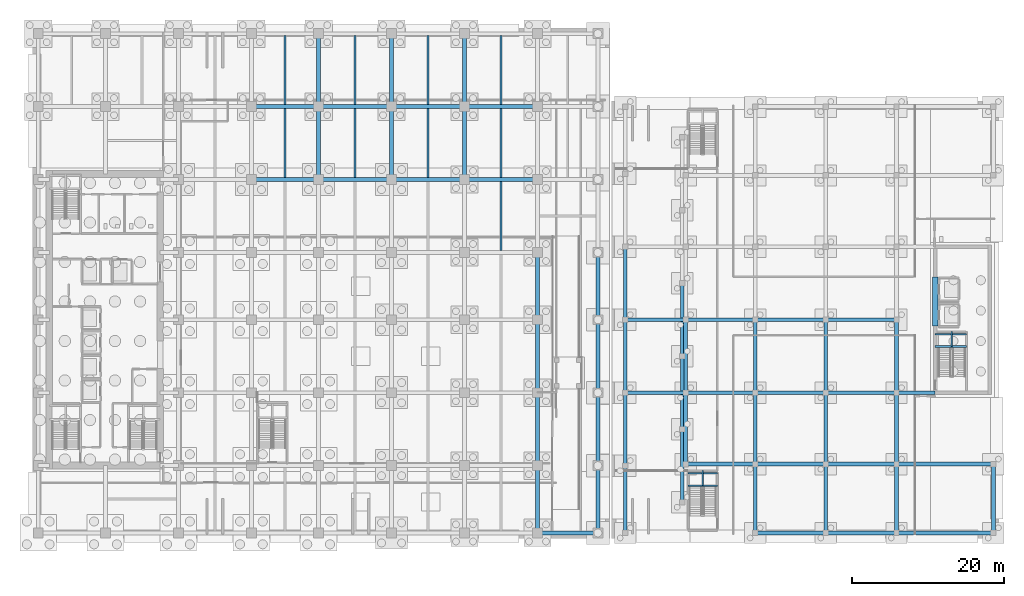
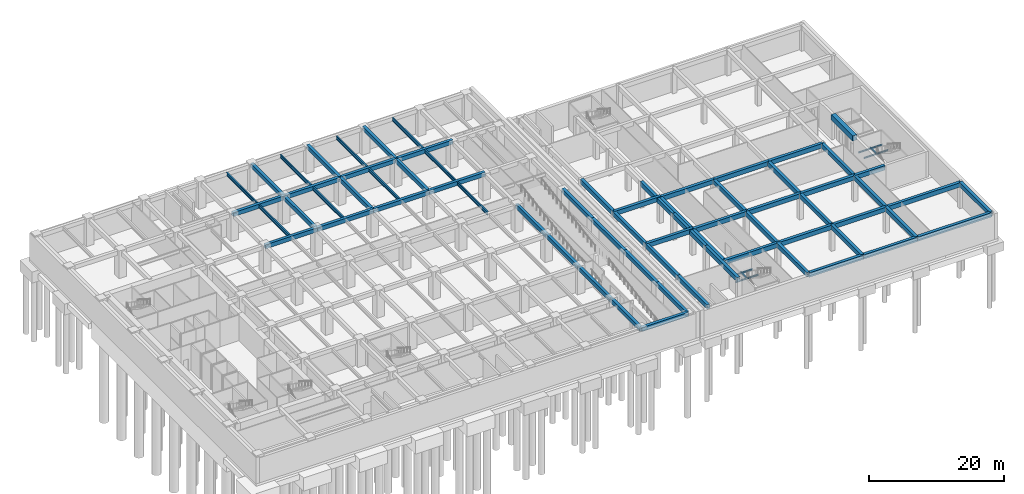
# One storey, part 6 of 20: 74 beams.
"""IFC4 building model written with IfcOpenShell, lengths in metres."""

from ifc_helpers import new_model, si_unit, direction, frame, origin, origin_2d, place, context, subcontext, project, spatial, rectangle, i_section, extrude, material, material_profile, profile_set, type_object, element, save


model = new_model("IFC4")

# Units and contexts
model_context = context("Model", 3, precision=1e-05, world=origin(), true_north=direction((0.0, 1.0)))
body_context = subcontext(model_context, "Body", "Model", "MODEL_VIEW")
ifc_project = project(units=[si_unit("LENGTHUNIT", "METRE"), si_unit("AREAUNIT", "SQUARE_METRE"), si_unit("VOLUMEUNIT", "CUBIC_METRE"), si_unit("PLANEANGLEUNIT", "RADIAN"), si_unit("MASSUNIT", "GRAM", prefix="KILO")], contexts=[model_context])

# Site, building, storey
site_placement = place(None, origin())
site = spatial("IfcSite", under=ifc_project, at=site_placement, CompositionType="ELEMENT")
building_placement = place(site_placement, origin())
building = spatial("IfcBuilding", under=site, at=building_placement, Name="Norrvale University Quadrangle", CompositionType="ELEMENT")
storey_placement = place(building_placement, frame((0.0, 0.0, -5.0)))
storey = spatial("IfcBuildingStorey", under=building, at=storey_placement, Name="B01", CompositionType="ELEMENT", Elevation=-5.0)

# Beams
ifc_material_1 = material(Name="Concrete C80/95", Category="concrete")
ifc_material_profile_1 = material_profile(ifc_material_1, rectangle(XDim=0.699951171875, YDim=0.949951171875, at=origin_2d()), Name="Concrete C80/95")
ifc_profile_set_1 = profile_set([ifc_material_profile_1], Name="Concrete C80/95")
beam_type_1 = type_object("IfcBeamType", Name="Beam Core Link 700x950", PredefinedType="LINTEL", material=ifc_profile_set_1)
beam_1_placement = place(storey_placement, frame((118.800048828125, 28.0, 4.175048828125), z_axis=(0.0, 1.0, 0.0), x_axis=(-1.0, 0.0, 0.0)))
element("IfcBeam", 1, at=beam_1_placement, inside=storey, type_object=beam_type_1, Name="Library Core Coupling Lintel B01", PredefinedType="LINTEL", context=body_context, shape_type="SweptSolid", body=[
    extrude(rectangle(XDim=0.699951171875, YDim=0.949951171875, at=origin_2d()), origin(), (0.0, 0.0, 1.0), 6.39990234375),
])
ifc_material_2 = material(Name="Concrete C60/75", Category="concrete")
ifc_material_profile_2 = material_profile(ifc_material_2, rectangle(XDim=0.5, YDim=0.75, at=origin_2d()), Name="Concrete C60/75")
ifc_profile_set_2 = profile_set([ifc_material_profile_2], Name="Concrete C60/75")
beam_type_2 = type_object("IfcBeamType", Name="Beam Edge 500x750", PredefinedType="BEAM", material=ifc_profile_set_2)
beam_2_placement = place(storey_placement, frame((66.449951171875, 0.75, 4.405029296875), z_axis=(1.0, 0.0, 0.0), x_axis=(0.0, 1.0, 0.0)))
element("IfcBeam", 2, at=beam_2_placement, inside=storey, type_object=beam_type_2, Name="Beam Edge 500x750 BM-B01-GX008", PredefinedType="BEAM", context=body_context, shape_type="SweptSolid", body=[
    extrude(rectangle(XDim=0.5, YDim=0.75, at=origin_2d()), origin(), (0.0, 0.0, 1.0), 7.949951171875),
])
beam_3_placement = place(storey_placement, frame((28.800048828125, 47.25, 4.405029296875), z_axis=(1.0, 0.0, 0.0), x_axis=(0.0, 1.0, 0.0)))
element("IfcBeam", 3, at=beam_3_placement, inside=storey, type_object=beam_type_2, Name="Beam Edge 500x750 BM-B01-GX030", PredefinedType="BEAM", context=body_context, shape_type="SweptSolid", body=[
    extrude(rectangle(XDim=0.5, YDim=0.75, at=origin_2d()), origin(), (0.0, 0.0, 1.0), 8.849853515625),
])
for number, where, z_axis, x_axis, name in (
    (4, (37.64990234375, 47.25, 4.405029296875), (1.0, 0.0, 0.0), (0.0, 1.0, 0.0), "Beam Edge 500x750 BM-B01-GX031"),
    (5, (47.25, 47.25, 4.405029296875), (1.0, 0.0, 0.0), (0.0, 1.0, 0.0), "Beam Edge 500x750 BM-B01-GX032"),
):
    element("IfcBeam", number, at=place(storey_placement, frame(where, z_axis=z_axis, x_axis=x_axis)), inside=storey, type_object=beam_type_2, Name=name, PredefinedType="BEAM", context=body_context, shape_type="SweptSolid", body=[
        extrude(rectangle(XDim=0.5, YDim=0.75, at=origin_2d()), origin(), (0.0, 0.0, 1.0), 9.60009765625),
    ])
beam_4_placement = place(storey_placement, frame((56.85009765625, 47.25, 4.405029296875), z_axis=(1.0, 0.0, 0.0), x_axis=(0.0, 1.0, 0.0)))
element("IfcBeam", 6, at=beam_4_placement, inside=storey, type_object=beam_type_2, Name="Beam Edge 500x750 BM-B01-GX033", PredefinedType="BEAM", context=body_context, shape_type="SweptSolid", body=[
    extrude(rectangle(XDim=0.5, YDim=0.75, at=origin_2d()), origin(), (0.0, 0.0, 1.0), 9.599853515625),
])
beam_5_placement = place(storey_placement, frame((28.800048828125, 56.85009765625, 4.405029296875), z_axis=(1.0, 0.0, 0.0), x_axis=(0.0, 1.0, 0.0)))
element("IfcBeam", 7, at=beam_5_placement, inside=storey, type_object=beam_type_2, Name="Beam Edge 500x750 BM-B01-GX038", PredefinedType="BEAM", context=body_context, shape_type="SweptSolid", body=[
    extrude(rectangle(XDim=0.5, YDim=0.75, at=origin_2d()), origin(), (0.0, 0.0, 1.0), 8.849853515625),
])
for number, where, z_axis, x_axis, name in (
    (8, (37.64990234375, 56.85009765625, 4.405029296875), (1.0, 0.0, 0.0), (0.0, 1.0, 0.0), "Beam Edge 500x750 BM-B01-GX039"),
    (9, (47.25, 56.85009765625, 4.405029296875), (1.0, 0.0, 0.0), (0.0, 1.0, 0.0), "Beam Edge 500x750 BM-B01-GX040"),
):
    element("IfcBeam", number, at=place(storey_placement, frame(where, z_axis=z_axis, x_axis=x_axis)), inside=storey, type_object=beam_type_2, Name=name, PredefinedType="BEAM", context=body_context, shape_type="SweptSolid", body=[
        extrude(rectangle(XDim=0.5, YDim=0.75, at=origin_2d()), origin(), (0.0, 0.0, 1.0), 9.60009765625),
    ])
beam_6_placement = place(storey_placement, frame((56.85009765625, 56.85009765625, 4.405029296875), z_axis=(1.0, 0.0, 0.0), x_axis=(0.0, 1.0, 0.0)))
element("IfcBeam", 10, at=beam_6_placement, inside=storey, type_object=beam_type_2, Name="Beam Edge 500x750 BM-B01-GX041", PredefinedType="BEAM", context=body_context, shape_type="SweptSolid", body=[
    extrude(rectangle(XDim=0.5, YDim=0.75, at=origin_2d()), origin(), (0.0, 0.0, 1.0), 9.599853515625),
])
beam_7_placement = place(storey_placement, frame((37.64990234375, 47.25, 4.405029296875), z_axis=(0.0, 1.0, 0.0), x_axis=(-1.0, 0.0, 0.0)))
element("IfcBeam", 11, at=beam_7_placement, inside=storey, type_object=beam_type_2, Name="Beam Edge 500x750 BM-B01-GY078", PredefinedType="BEAM", context=body_context, shape_type="SweptSolid", body=[
    extrude(rectangle(XDim=0.5, YDim=0.75, at=origin_2d()), origin(), (0.0, 0.0, 1.0), 9.60009765625),
])
beam_8_placement = place(storey_placement, frame((37.64990234375, 56.85009765625, 4.405029296875), z_axis=(0.0, 1.0, 0.0), x_axis=(-1.0, 0.0, 0.0)))
element("IfcBeam", 12, at=beam_8_placement, inside=storey, type_object=beam_type_2, Name="Beam Edge 500x750 BM-B01-GY079", PredefinedType="BEAM", context=body_context, shape_type="SweptSolid", body=[
    extrude(rectangle(XDim=0.5, YDim=0.75, at=origin_2d()), origin(), (0.0, 0.0, 1.0), 9.599853515625),
])
beam_9_placement = place(storey_placement, frame((47.25, 47.25, 4.405029296875), z_axis=(0.0, 1.0, 0.0), x_axis=(-1.0, 0.0, 0.0)))
element("IfcBeam", 13, at=beam_9_placement, inside=storey, type_object=beam_type_2, Name="Beam Edge 500x750 BM-B01-GY085", PredefinedType="BEAM", context=body_context, shape_type="SweptSolid", body=[
    extrude(rectangle(XDim=0.5, YDim=0.75, at=origin_2d()), origin(), (0.0, 0.0, 1.0), 9.60009765625),
])
beam_10_placement = place(storey_placement, frame((47.25, 56.85009765625, 4.405029296875), z_axis=(0.0, 1.0, 0.0), x_axis=(-1.0, 0.0, 0.0)))
element("IfcBeam", 14, at=beam_10_placement, inside=storey, type_object=beam_type_2, Name="Beam Edge 500x750 BM-B01-GY086", PredefinedType="BEAM", context=body_context, shape_type="SweptSolid", body=[
    extrude(rectangle(XDim=0.5, YDim=0.75, at=origin_2d()), origin(), (0.0, 0.0, 1.0), 9.599853515625),
])
beam_11_placement = place(storey_placement, frame((56.85009765625, 47.25, 4.405029296875), z_axis=(0.0, 1.0, 0.0), x_axis=(-1.0, 0.0, 0.0)))
element("IfcBeam", 15, at=beam_11_placement, inside=storey, type_object=beam_type_2, Name="Beam Edge 500x750 BM-B01-GY092", PredefinedType="BEAM", context=body_context, shape_type="SweptSolid", body=[
    extrude(rectangle(XDim=0.5, YDim=0.75, at=origin_2d()), origin(), (0.0, 0.0, 1.0), 9.60009765625),
])
beam_12_placement = place(storey_placement, frame((56.85009765625, 56.85009765625, 4.405029296875), z_axis=(0.0, 1.0, 0.0), x_axis=(-1.0, 0.0, 0.0)))
element("IfcBeam", 16, at=beam_12_placement, inside=storey, type_object=beam_type_2, Name="Beam Edge 500x750 BM-B01-GY093", PredefinedType="BEAM", context=body_context, shape_type="SweptSolid", body=[
    extrude(rectangle(XDim=0.5, YDim=0.75, at=origin_2d()), origin(), (0.0, 0.0, 1.0), 9.599853515625),
])
beam_13_placement = place(storey_placement, frame((66.449951171875, 0.75, 4.405029296875), z_axis=(0.0, 1.0, 0.0), x_axis=(-1.0, 0.0, 0.0)))
element("IfcBeam", 17, at=beam_13_placement, inside=storey, type_object=beam_type_2, Name="Beam Edge 500x750 BM-B01-GY094", PredefinedType="BEAM", context=body_context, shape_type="SweptSolid", body=[
    extrude(rectangle(XDim=0.5, YDim=0.75, at=origin_2d()), origin(), (0.0, 0.0, 1.0), 8.85009765625),
])
beam_14_placement = place(storey_placement, frame((66.449951171875, 9.60009765625, 4.405029296875), z_axis=(0.0, 1.0, 0.0), x_axis=(-1.0, 0.0, 0.0)))
element("IfcBeam", 18, at=beam_14_placement, inside=storey, type_object=beam_type_2, Name="Beam Edge 500x750 BM-B01-GY095", PredefinedType="BEAM", context=body_context, shape_type="SweptSolid", body=[
    extrude(rectangle(XDim=0.5, YDim=0.75, at=origin_2d()), origin(), (0.0, 0.0, 1.0), 9.599853515625),
])
beam_15_placement = place(storey_placement, frame((66.449951171875, 19.199951171875, 4.405029296875), z_axis=(0.0, 1.0, 0.0), x_axis=(-1.0, 0.0, 0.0)))
element("IfcBeam", 19, at=beam_15_placement, inside=storey, type_object=beam_type_2, Name="Beam Edge 500x750 BM-B01-GY096", PredefinedType="BEAM", context=body_context, shape_type="SweptSolid", body=[
    extrude(rectangle(XDim=0.5, YDim=0.75, at=origin_2d()), origin(), (0.0, 0.0, 1.0), 9.60009765625),
])
beam_16_placement = place(storey_placement, frame((66.449951171875, 28.800048828125, 4.405029296875), z_axis=(0.0, 1.0, 0.0), x_axis=(-1.0, 0.0, 0.0)))
element("IfcBeam", 20, at=beam_16_placement, inside=storey, type_object=beam_type_2, Name="Beam Edge 500x750 BM-B01-GY097", PredefinedType="BEAM", context=body_context, shape_type="SweptSolid", body=[
    extrude(rectangle(XDim=0.5, YDim=0.75, at=origin_2d()), origin(), (0.0, 0.0, 1.0), 8.849853515625),
])
beam_17_placement = place(storey_placement, frame((74.39990234375, 0.75, 4.405029296875), z_axis=(0.0, 1.0, 0.0), x_axis=(-1.0, 0.0, 0.0)))
element("IfcBeam", 21, at=beam_17_placement, inside=storey, type_object=beam_type_2, Name="Beam Edge 500x750 BM-B01-GY101", PredefinedType="BEAM", context=body_context, shape_type="SweptSolid", body=[
    extrude(rectangle(XDim=0.5, YDim=0.75, at=origin_2d()), origin(), (0.0, 0.0, 1.0), 8.85009765625),
])
beam_18_placement = place(storey_placement, frame((74.39990234375, 9.60009765625, 4.405029296875), z_axis=(0.0, 1.0, 0.0), x_axis=(-1.0, 0.0, 0.0)))
element("IfcBeam", 22, at=beam_18_placement, inside=storey, type_object=beam_type_2, Name="Beam Edge 500x750 BM-B01-GY102", PredefinedType="BEAM", context=body_context, shape_type="SweptSolid", body=[
    extrude(rectangle(XDim=0.5, YDim=0.75, at=origin_2d()), origin(), (0.0, 0.0, 1.0), 9.599853515625),
])
beam_19_placement = place(storey_placement, frame((74.39990234375, 19.199951171875, 4.405029296875), z_axis=(0.0, 1.0, 0.0), x_axis=(-1.0, 0.0, 0.0)))
element("IfcBeam", 23, at=beam_19_placement, inside=storey, type_object=beam_type_2, Name="Beam Edge 500x750 BM-B01-GY103", PredefinedType="BEAM", context=body_context, shape_type="SweptSolid", body=[
    extrude(rectangle(XDim=0.5, YDim=0.75, at=origin_2d()), origin(), (0.0, 0.0, 1.0), 9.60009765625),
])
beam_20_placement = place(storey_placement, frame((74.39990234375, 28.800048828125, 4.405029296875), z_axis=(0.0, 1.0, 0.0), x_axis=(-1.0, 0.0, 0.0)))
element("IfcBeam", 24, at=beam_20_placement, inside=storey, type_object=beam_type_2, Name="Beam Edge 500x750 BM-B01-GY104", PredefinedType="BEAM", context=body_context, shape_type="SweptSolid", body=[
    extrude(rectangle(XDim=0.5, YDim=0.75, at=origin_2d()), origin(), (0.0, 0.0, 1.0), 8.849853515625),
])
ifc_material_3 = material(Name="Steel 350W", Category="steel")
ifc_material_profile_3 = material_profile(ifc_material_3, i_section(OverallWidth=0.22998046875, OverallDepth=0.616943359375, WebThickness=0.01318359375, FlangeThickness=0.022216796875, FilletRadius=0.01611328125, at=origin_2d()), Name="Steel 350W")
ifc_profile_set_3 = profile_set([ifc_material_profile_3], Name="Steel 350W")
beam_type_3 = type_object("IfcBeamType", Name="Beam Floor W610x140", PredefinedType="BEAM", material=ifc_profile_set_3)
beam_21_placement = place(storey_placement, frame((33.22509765625, 47.5, 4.471435546875), z_axis=(0.0, 1.0, 0.0), x_axis=(-1.0, 0.0, 0.0)))
element("IfcBeam", 25, at=beam_21_placement, inside=storey, type_object=beam_type_3, Name="Beam Floor W610x140 BM-B01-J131", PredefinedType="BEAM", context=body_context, shape_type="SweptSolid", body=[
    extrude(i_section(OverallWidth=0.22998046875, OverallDepth=0.616943359375, WebThickness=0.01318359375, FlangeThickness=0.022216796875, FilletRadius=0.01611328125, at=origin_2d()), origin(), (0.0, 0.0, 1.0), 9.10009765625),
])
beam_22_placement = place(storey_placement, frame((33.22509765625, 57.10009765625, 4.471435546875), z_axis=(0.0, 1.0, 0.0), x_axis=(-1.0, 0.0, 0.0)))
element("IfcBeam", 26, at=beam_22_placement, inside=storey, type_object=beam_type_3, Name="Beam Floor W610x140 BM-B01-J132", PredefinedType="BEAM", context=body_context, shape_type="SweptSolid", body=[
    extrude(i_section(OverallWidth=0.22998046875, OverallDepth=0.616943359375, WebThickness=0.01318359375, FlangeThickness=0.022216796875, FilletRadius=0.01611328125, at=origin_2d()), origin(), (0.0, 0.0, 1.0), 9.099853515625),
])
beam_23_placement = place(storey_placement, frame((42.449951171875, 47.5, 4.471435546875), z_axis=(0.0, 1.0, 0.0), x_axis=(-1.0, 0.0, 0.0)))
element("IfcBeam", 27, at=beam_23_placement, inside=storey, type_object=beam_type_3, Name="Beam Floor W610x140 BM-B01-J138", PredefinedType="BEAM", context=body_context, shape_type="SweptSolid", body=[
    extrude(i_section(OverallWidth=0.22998046875, OverallDepth=0.616943359375, WebThickness=0.01318359375, FlangeThickness=0.022216796875, FilletRadius=0.01611328125, at=origin_2d()), origin(), (0.0, 0.0, 1.0), 9.10009765625),
])
beam_24_placement = place(storey_placement, frame((42.449951171875, 57.10009765625, 4.471435546875), z_axis=(0.0, 1.0, 0.0), x_axis=(-1.0, 0.0, 0.0)))
element("IfcBeam", 28, at=beam_24_placement, inside=storey, type_object=beam_type_3, Name="Beam Floor W610x140 BM-B01-J139", PredefinedType="BEAM", context=body_context, shape_type="SweptSolid", body=[
    extrude(i_section(OverallWidth=0.22998046875, OverallDepth=0.616943359375, WebThickness=0.01318359375, FlangeThickness=0.022216796875, FilletRadius=0.01611328125, at=origin_2d()), origin(), (0.0, 0.0, 1.0), 9.099853515625),
])
beam_25_placement = place(storey_placement, frame((52.050048828125, 47.5, 4.471435546875), z_axis=(0.0, 1.0, 0.0), x_axis=(-1.0, 0.0, 0.0)))
element("IfcBeam", 29, at=beam_25_placement, inside=storey, type_object=beam_type_3, Name="Beam Floor W610x140 BM-B01-J145", PredefinedType="BEAM", context=body_context, shape_type="SweptSolid", body=[
    extrude(i_section(OverallWidth=0.22998046875, OverallDepth=0.616943359375, WebThickness=0.01318359375, FlangeThickness=0.022216796875, FilletRadius=0.01611328125, at=origin_2d()), origin(), (0.0, 0.0, 1.0), 9.10009765625),
])
beam_26_placement = place(storey_placement, frame((52.050048828125, 57.10009765625, 4.471435546875), z_axis=(0.0, 1.0, 0.0), x_axis=(-1.0, 0.0, 0.0)))
element("IfcBeam", 30, at=beam_26_placement, inside=storey, type_object=beam_type_3, Name="Beam Floor W610x140 BM-B01-J146", PredefinedType="BEAM", context=body_context, shape_type="SweptSolid", body=[
    extrude(i_section(OverallWidth=0.22998046875, OverallDepth=0.616943359375, WebThickness=0.01318359375, FlangeThickness=0.022216796875, FilletRadius=0.01611328125, at=origin_2d()), origin(), (0.0, 0.0, 1.0), 9.099853515625),
])
for number, where, z_axis, x_axis, name in (
    (31, (61.64990234375, 37.89990234375, 4.471435546875), (0.0, 1.0, 0.0), (-1.0, 0.0, 0.0), "Beam Floor W610x140 BM-B01-J151"),
    (32, (61.64990234375, 47.5, 4.471435546875), (0.0, 1.0, 0.0), (-1.0, 0.0, 0.0), "Beam Floor W610x140 BM-B01-J152"),
):
    element("IfcBeam", number, at=place(storey_placement, frame(where, z_axis=z_axis, x_axis=x_axis)), inside=storey, type_object=beam_type_3, Name=name, PredefinedType="BEAM", context=body_context, shape_type="SweptSolid", body=[
        extrude(i_section(OverallWidth=0.22998046875, OverallDepth=0.616943359375, WebThickness=0.01318359375, FlangeThickness=0.022216796875, FilletRadius=0.01611328125, at=origin_2d()), origin(), (0.0, 0.0, 1.0), 9.10009765625),
    ])
beam_27_placement = place(storey_placement, frame((61.64990234375, 57.10009765625, 4.471435546875), z_axis=(0.0, 1.0, 0.0), x_axis=(-1.0, 0.0, 0.0)))
element("IfcBeam", 33, at=beam_27_placement, inside=storey, type_object=beam_type_3, Name="Beam Floor W610x140 BM-B01-J153", PredefinedType="BEAM", context=body_context, shape_type="SweptSolid", body=[
    extrude(i_section(OverallWidth=0.22998046875, OverallDepth=0.616943359375, WebThickness=0.01318359375, FlangeThickness=0.022216796875, FilletRadius=0.01611328125, at=origin_2d()), origin(), (0.0, 0.0, 1.0), 9.099853515625),
])
ifc_material_profile_4 = material_profile(ifc_material_2, rectangle(XDim=0.5, YDim=0.800048828125, at=origin_2d()), Name="Concrete C60/75")
ifc_profile_set_4 = profile_set([ifc_material_profile_4], Name="Concrete C60/75")
beam_type_4 = type_object("IfcBeamType", Name="Beam Lib 500x800", PredefinedType="BEAM", material=ifc_profile_set_4)
beam_28_placement = place(storey_placement, frame((95.10009765625, 0.75, 4.25), z_axis=(1.0, 0.0, 0.0), x_axis=(0.0, 1.0, 0.0)))
element("IfcBeam", 34, at=beam_28_placement, inside=storey, type_object=beam_type_4, Name="Beam Lib 500x800 BM-B01-LGX001", PredefinedType="BEAM", context=body_context, shape_type="SweptSolid", body=[
    extrude(rectangle(XDim=0.5, YDim=0.800048828125, at=origin_2d()), origin(), (0.0, 0.0, 1.0), 9.2998046875),
])
beam_29_placement = place(storey_placement, frame((104.39990234375, 0.75, 4.25), z_axis=(1.0, 0.0, 0.0), x_axis=(0.0, 1.0, 0.0)))
element("IfcBeam", 35, at=beam_29_placement, inside=storey, type_object=beam_type_4, Name="Beam Lib 500x800 BM-B01-LGX002", PredefinedType="BEAM", context=body_context, shape_type="SweptSolid", body=[
    extrude(rectangle(XDim=0.5, YDim=0.800048828125, at=origin_2d()), origin(), (0.0, 0.0, 1.0), 9.300048828125),
])
beam_30_placement = place(storey_placement, frame((113.699951171875, 0.75, 4.25), z_axis=(1.0, 0.0, 0.0), x_axis=(0.0, 1.0, 0.0)))
element("IfcBeam", 36, at=beam_30_placement, inside=storey, type_object=beam_type_4, Name="Beam Lib 500x800 BM-B01-LGX003", PredefinedType="BEAM", context=body_context, shape_type="SweptSolid", body=[
    extrude(rectangle(XDim=0.5, YDim=0.800048828125, at=origin_2d()), origin(), (0.0, 0.0, 1.0), 12.75),
])
beam_31_placement = place(storey_placement, frame((85.949951171875, 9.800048828125, 4.25), z_axis=(1.0, 0.0, 0.0), x_axis=(0.0, 1.0, 0.0)))
element("IfcBeam", 37, at=beam_31_placement, inside=storey, type_object=beam_type_4, Name="Beam Lib 500x800 BM-B01-LGX004", PredefinedType="BEAM", context=body_context, shape_type="SweptSolid", body=[
    extrude(rectangle(XDim=0.5, YDim=0.800048828125, at=origin_2d()), origin(), (0.0, 0.0, 1.0), 9.150146484375),
])
beam_32_placement = place(storey_placement, frame((95.10009765625, 9.800048828125, 4.25), z_axis=(1.0, 0.0, 0.0), x_axis=(0.0, 1.0, 0.0)))
element("IfcBeam", 38, at=beam_32_placement, inside=storey, type_object=beam_type_4, Name="Beam Lib 500x800 BM-B01-LGX005", PredefinedType="BEAM", context=body_context, shape_type="SweptSolid", body=[
    extrude(rectangle(XDim=0.5, YDim=0.800048828125, at=origin_2d()), origin(), (0.0, 0.0, 1.0), 9.2998046875),
])
beam_33_placement = place(storey_placement, frame((104.39990234375, 9.800048828125, 4.25), z_axis=(1.0, 0.0, 0.0), x_axis=(0.0, 1.0, 0.0)))
element("IfcBeam", 39, at=beam_33_placement, inside=storey, type_object=beam_type_4, Name="Beam Lib 500x800 BM-B01-LGX006", PredefinedType="BEAM", context=body_context, shape_type="SweptSolid", body=[
    extrude(rectangle(XDim=0.5, YDim=0.800048828125, at=origin_2d()), origin(), (0.0, 0.0, 1.0), 9.300048828125),
])
beam_34_placement = place(storey_placement, frame((113.699951171875, 9.800048828125, 4.25), z_axis=(1.0, 0.0, 0.0), x_axis=(0.0, 1.0, 0.0)))
element("IfcBeam", 40, at=beam_34_placement, inside=storey, type_object=beam_type_4, Name="Beam Lib 500x800 BM-B01-LGX007", PredefinedType="BEAM", context=body_context, shape_type="SweptSolid", body=[
    extrude(rectangle(XDim=0.5, YDim=0.800048828125, at=origin_2d()), origin(), (0.0, 0.0, 1.0), 12.75),
])
beam_35_placement = place(storey_placement, frame((78.0, 19.199951171875, 4.3798828125), z_axis=(1.0, 0.0, 0.0), x_axis=(0.0, 1.0, 0.0)))
element("IfcBeam", 41, at=beam_35_placement, inside=storey, type_object=beam_type_4, Name="Beam Lib 500x800 BM-B01-LGX008", PredefinedType="BEAM", context=body_context, shape_type="SweptSolid", body=[
    extrude(rectangle(XDim=0.5, YDim=0.800048828125, at=origin_2d()), origin(), (0.0, 0.0, 1.0), 7.949951171875),
])
beam_36_placement = place(storey_placement, frame((85.949951171875, 19.199951171875, 4.25), z_axis=(1.0, 0.0, 0.0), x_axis=(0.0, 1.0, 0.0)))
element("IfcBeam", 42, at=beam_36_placement, inside=storey, type_object=beam_type_4, Name="Beam Lib 500x800 BM-B01-LGX009", PredefinedType="BEAM", context=body_context, shape_type="SweptSolid", body=[
    extrude(rectangle(XDim=0.5, YDim=0.800048828125, at=origin_2d()), origin(), (0.0, 0.0, 1.0), 9.150146484375),
])
beam_37_placement = place(storey_placement, frame((95.10009765625, 19.199951171875, 4.25), z_axis=(1.0, 0.0, 0.0), x_axis=(0.0, 1.0, 0.0)))
element("IfcBeam", 43, at=beam_37_placement, inside=storey, type_object=beam_type_4, Name="Beam Lib 500x800 BM-B01-LGX010", PredefinedType="BEAM", context=body_context, shape_type="SweptSolid", body=[
    extrude(rectangle(XDim=0.5, YDim=0.800048828125, at=origin_2d()), origin(), (0.0, 0.0, 1.0), 9.2998046875),
])
beam_38_placement = place(storey_placement, frame((104.39990234375, 19.199951171875, 4.25), z_axis=(1.0, 0.0, 0.0), x_axis=(0.0, 1.0, 0.0)))
element("IfcBeam", 44, at=beam_38_placement, inside=storey, type_object=beam_type_4, Name="Beam Lib 500x800 BM-B01-LGX011", PredefinedType="BEAM", context=body_context, shape_type="SweptSolid", body=[
    extrude(rectangle(XDim=0.5, YDim=0.800048828125, at=origin_2d()), origin(), (0.0, 0.0, 1.0), 9.300048828125),
])
beam_39_placement = place(storey_placement, frame((78.0, 28.800048828125, 4.3798828125), z_axis=(1.0, 0.0, 0.0), x_axis=(0.0, 1.0, 0.0)))
element("IfcBeam", 45, at=beam_39_placement, inside=storey, type_object=beam_type_4, Name="Beam Lib 500x800 BM-B01-LGX012", PredefinedType="BEAM", context=body_context, shape_type="SweptSolid", body=[
    extrude(rectangle(XDim=0.5, YDim=0.800048828125, at=origin_2d()), origin(), (0.0, 0.0, 1.0), 7.949951171875),
])
beam_40_placement = place(storey_placement, frame((85.949951171875, 28.800048828125, 4.25), z_axis=(1.0, 0.0, 0.0), x_axis=(0.0, 1.0, 0.0)))
element("IfcBeam", 46, at=beam_40_placement, inside=storey, type_object=beam_type_4, Name="Beam Lib 500x800 BM-B01-LGX013", PredefinedType="BEAM", context=body_context, shape_type="SweptSolid", body=[
    extrude(rectangle(XDim=0.5, YDim=0.800048828125, at=origin_2d()), origin(), (0.0, 0.0, 1.0), 9.150146484375),
])
beam_41_placement = place(storey_placement, frame((95.10009765625, 28.800048828125, 4.25), z_axis=(1.0, 0.0, 0.0), x_axis=(0.0, 1.0, 0.0)))
element("IfcBeam", 47, at=beam_41_placement, inside=storey, type_object=beam_type_4, Name="Beam Lib 500x800 BM-B01-LGX014", PredefinedType="BEAM", context=body_context, shape_type="SweptSolid", body=[
    extrude(rectangle(XDim=0.5, YDim=0.800048828125, at=origin_2d()), origin(), (0.0, 0.0, 1.0), 9.2998046875),
])
beam_42_placement = place(storey_placement, frame((104.39990234375, 28.800048828125, 4.25), z_axis=(1.0, 0.0, 0.0), x_axis=(0.0, 1.0, 0.0)))
element("IfcBeam", 48, at=beam_42_placement, inside=storey, type_object=beam_type_4, Name="Beam Lib 500x800 BM-B01-LGX015", PredefinedType="BEAM", context=body_context, shape_type="SweptSolid", body=[
    extrude(rectangle(XDim=0.5, YDim=0.800048828125, at=origin_2d()), origin(), (0.0, 0.0, 1.0), 9.300048828125),
])
beam_43_placement = place(storey_placement, frame((78.0, 0.75, 4.3798828125), z_axis=(0.0, 1.0, 0.0), x_axis=(-1.0, 0.0, 0.0)))
element("IfcBeam", 49, at=beam_43_placement, inside=storey, type_object=beam_type_4, Name="Beam Lib 500x800 BM-B01-LGY027", PredefinedType="BEAM", context=body_context, shape_type="SweptSolid", body=[
    extrude(rectangle(XDim=0.5, YDim=0.800048828125, at=origin_2d()), origin(), (0.0, 0.0, 1.0), 8.85009765625),
])
beam_44_placement = place(storey_placement, frame((78.0, 9.60009765625, 4.3798828125), z_axis=(0.0, 1.0, 0.0), x_axis=(-1.0, 0.0, 0.0)))
element("IfcBeam", 50, at=beam_44_placement, inside=storey, type_object=beam_type_4, Name="Beam Lib 500x800 BM-B01-LGY028", PredefinedType="BEAM", context=body_context, shape_type="SweptSolid", body=[
    extrude(rectangle(XDim=0.5, YDim=0.800048828125, at=origin_2d()), origin(), (0.0, 0.0, 1.0), 9.599853515625),
])
beam_45_placement = place(storey_placement, frame((78.0, 19.199951171875, 4.3798828125), z_axis=(0.0, 1.0, 0.0), x_axis=(-1.0, 0.0, 0.0)))
element("IfcBeam", 51, at=beam_45_placement, inside=storey, type_object=beam_type_4, Name="Beam Lib 500x800 BM-B01-LGY029", PredefinedType="BEAM", context=body_context, shape_type="SweptSolid", body=[
    extrude(rectangle(XDim=0.5, YDim=0.800048828125, at=origin_2d()), origin(), (0.0, 0.0, 1.0), 9.60009765625),
])
for number, where, z_axis, x_axis, name in (
    (52, (78.0, 28.800048828125, 4.3798828125), (0.0, 1.0, 0.0), (-1.0, 0.0, 0.0), "Beam Lib 500x800 BM-B01-LGY030"),
    (53, (85.5, 4.800048828125, 4.25), (0.0, 1.0, 0.0), (-1.0, 0.0, 0.0), "Beam Lib 500x800 BM-B01-LGY033"),
):
    element("IfcBeam", number, at=place(storey_placement, frame(where, z_axis=z_axis, x_axis=x_axis)), inside=storey, type_object=beam_type_4, Name=name, PredefinedType="BEAM", context=body_context, shape_type="SweptSolid", body=[
        extrude(rectangle(XDim=0.5, YDim=0.800048828125, at=origin_2d()), origin(), (0.0, 0.0, 1.0), 9.599853515625),
    ])
for number, where, z_axis, x_axis, name in (
    (54, (85.5, 14.39990234375, 4.25), (0.0, 1.0, 0.0), (-1.0, 0.0, 0.0), "Beam Lib 500x800 BM-B01-LGY034"),
    (55, (85.5, 24.0, 4.25), (0.0, 1.0, 0.0), (-1.0, 0.0, 0.0), "Beam Lib 500x800 BM-B01-LGY035"),
):
    element("IfcBeam", number, at=place(storey_placement, frame(where, z_axis=z_axis, x_axis=x_axis)), inside=storey, type_object=beam_type_4, Name=name, PredefinedType="BEAM", context=body_context, shape_type="SweptSolid", body=[
        extrude(rectangle(XDim=0.5, YDim=0.800048828125, at=origin_2d()), origin(), (0.0, 0.0, 1.0), 9.60009765625),
    ])
beam_46_placement = place(storey_placement, frame((85.949951171875, 9.800048828125, 4.25), z_axis=(0.0, 1.0, 0.0), x_axis=(-1.0, 0.0, 0.0)))
element("IfcBeam", 56, at=beam_46_placement, inside=storey, type_object=beam_type_4, Name="Beam Lib 500x800 BM-B01-LGY038", PredefinedType="BEAM", context=body_context, shape_type="SweptSolid", body=[
    extrude(rectangle(XDim=0.5, YDim=0.800048828125, at=origin_2d()), origin(), (0.0, 0.0, 1.0), 9.39990234375),
])
beam_47_placement = place(storey_placement, frame((85.949951171875, 19.199951171875, 4.25), z_axis=(0.0, 1.0, 0.0), x_axis=(-1.0, 0.0, 0.0)))
element("IfcBeam", 57, at=beam_47_placement, inside=storey, type_object=beam_type_4, Name="Beam Lib 500x800 BM-B01-LGY039", PredefinedType="BEAM", context=body_context, shape_type="SweptSolid", body=[
    extrude(rectangle(XDim=0.5, YDim=0.800048828125, at=origin_2d()), origin(), (0.0, 0.0, 1.0), 9.60009765625),
])
beam_48_placement = place(storey_placement, frame((95.10009765625, 0.75, 4.25), z_axis=(0.0, 1.0, 0.0), x_axis=(-1.0, 0.0, 0.0)))
element("IfcBeam", 58, at=beam_48_placement, inside=storey, type_object=beam_type_4, Name="Beam Lib 500x800 BM-B01-LGY042", PredefinedType="BEAM", context=body_context, shape_type="SweptSolid", body=[
    extrude(rectangle(XDim=0.5, YDim=0.800048828125, at=origin_2d()), origin(), (0.0, 0.0, 1.0), 9.050048828125),
])
beam_49_placement = place(storey_placement, frame((95.10009765625, 9.800048828125, 4.25), z_axis=(0.0, 1.0, 0.0), x_axis=(-1.0, 0.0, 0.0)))
element("IfcBeam", 59, at=beam_49_placement, inside=storey, type_object=beam_type_4, Name="Beam Lib 500x800 BM-B01-LGY043", PredefinedType="BEAM", context=body_context, shape_type="SweptSolid", body=[
    extrude(rectangle(XDim=0.5, YDim=0.800048828125, at=origin_2d()), origin(), (0.0, 0.0, 1.0), 9.39990234375),
])
beam_50_placement = place(storey_placement, frame((95.10009765625, 19.199951171875, 4.25), z_axis=(0.0, 1.0, 0.0), x_axis=(-1.0, 0.0, 0.0)))
element("IfcBeam", 60, at=beam_50_placement, inside=storey, type_object=beam_type_4, Name="Beam Lib 500x800 BM-B01-LGY044", PredefinedType="BEAM", context=body_context, shape_type="SweptSolid", body=[
    extrude(rectangle(XDim=0.5, YDim=0.800048828125, at=origin_2d()), origin(), (0.0, 0.0, 1.0), 9.60009765625),
])
beam_51_placement = place(storey_placement, frame((104.39990234375, 0.75, 4.25), z_axis=(0.0, 1.0, 0.0), x_axis=(-1.0, 0.0, 0.0)))
element("IfcBeam", 61, at=beam_51_placement, inside=storey, type_object=beam_type_4, Name="Beam Lib 500x800 BM-B01-LGY048", PredefinedType="BEAM", context=body_context, shape_type="SweptSolid", body=[
    extrude(rectangle(XDim=0.5, YDim=0.800048828125, at=origin_2d()), origin(), (0.0, 0.0, 1.0), 9.050048828125),
])
beam_52_placement = place(storey_placement, frame((104.39990234375, 9.800048828125, 4.25), z_axis=(0.0, 1.0, 0.0), x_axis=(-1.0, 0.0, 0.0)))
element("IfcBeam", 62, at=beam_52_placement, inside=storey, type_object=beam_type_4, Name="Beam Lib 500x800 BM-B01-LGY049", PredefinedType="BEAM", context=body_context, shape_type="SweptSolid", body=[
    extrude(rectangle(XDim=0.5, YDim=0.800048828125, at=origin_2d()), origin(), (0.0, 0.0, 1.0), 9.39990234375),
])
beam_53_placement = place(storey_placement, frame((104.39990234375, 19.199951171875, 4.25), z_axis=(0.0, 1.0, 0.0), x_axis=(-1.0, 0.0, 0.0)))
element("IfcBeam", 63, at=beam_53_placement, inside=storey, type_object=beam_type_4, Name="Beam Lib 500x800 BM-B01-LGY050", PredefinedType="BEAM", context=body_context, shape_type="SweptSolid", body=[
    extrude(rectangle(XDim=0.5, YDim=0.800048828125, at=origin_2d()), origin(), (0.0, 0.0, 1.0), 9.60009765625),
])
beam_54_placement = place(storey_placement, frame((113.699951171875, 0.75, 4.25), z_axis=(0.0, 1.0, 0.0), x_axis=(-1.0, 0.0, 0.0)))
element("IfcBeam", 64, at=beam_54_placement, inside=storey, type_object=beam_type_4, Name="Beam Lib 500x800 BM-B01-LGY054", PredefinedType="BEAM", context=body_context, shape_type="SweptSolid", body=[
    extrude(rectangle(XDim=0.5, YDim=0.800048828125, at=origin_2d()), origin(), (0.0, 0.0, 1.0), 9.050048828125),
])
beam_55_placement = place(storey_placement, frame((113.699951171875, 9.800048828125, 4.25), z_axis=(0.0, 1.0, 0.0), x_axis=(-1.0, 0.0, 0.0)))
element("IfcBeam", 65, at=beam_55_placement, inside=storey, type_object=beam_type_4, Name="Beam Lib 500x800 BM-B01-LGY055", PredefinedType="BEAM", context=body_context, shape_type="SweptSolid", body=[
    extrude(rectangle(XDim=0.5, YDim=0.800048828125, at=origin_2d()), origin(), (0.0, 0.0, 1.0), 9.39990234375),
])
beam_56_placement = place(storey_placement, frame((113.699951171875, 19.199951171875, 4.25), z_axis=(0.0, 1.0, 0.0), x_axis=(-1.0, 0.0, 0.0)))
element("IfcBeam", 66, at=beam_56_placement, inside=storey, type_object=beam_type_4, Name="Beam Lib 500x800 BM-B01-LGY056", PredefinedType="BEAM", context=body_context, shape_type="SweptSolid", body=[
    extrude(rectangle(XDim=0.5, YDim=0.800048828125, at=origin_2d()), origin(), (0.0, 0.0, 1.0), 9.60009765625),
])
beam_57_placement = place(storey_placement, frame((126.449951171875, 0.75, 4.25), z_axis=(0.0, 1.0, 0.0), x_axis=(-1.0, 0.0, 0.0)))
element("IfcBeam", 67, at=beam_57_placement, inside=storey, type_object=beam_type_4, Name="Beam Lib 500x800 BM-B01-LGY060", PredefinedType="BEAM", context=body_context, shape_type="SweptSolid", body=[
    extrude(rectangle(XDim=0.5, YDim=0.800048828125, at=origin_2d()), origin(), (0.0, 0.0, 1.0), 9.050048828125),
])
beam_58_placement = place(storey_placement, frame((113.699951171875, 19.199951171875, 4.25), z_axis=(1.0, 0.0, 0.0), x_axis=(0.0, 1.0, 0.0)))
element("IfcBeam", 68, at=beam_58_placement, inside=storey, type_object=beam_type_4, Name="Beam Lib 500x800 BM-B01-LCTIE062", PredefinedType="BEAM", context=body_context, shape_type="SweptSolid", body=[
    extrude(rectangle(XDim=0.5, YDim=0.800048828125, at=origin_2d()), origin(), (0.0, 0.0, 1.0), 5.10009765625),
])
ifc_material_profile_5 = material_profile(ifc_material_3, i_section(OverallWidth=0.201904296875, OverallDepth=0.2470703125, WebThickness=0.00732421875, FlangeThickness=0.010986328125, FilletRadius=0.011962890625, at=origin_2d()), Name="Steel 350W")
ifc_profile_set_5 = profile_set([ifc_material_profile_5], Name="Steel 350W")
beam_type_5 = type_object("IfcBeamType", Name="Beam Stair W250x49", PredefinedType="BEAM", material=ifc_profile_set_5)
for number, where, z_axis, x_axis, name in (
    (69, (118.800048828125, 25.280029296875, 2.176513671875), (1.0, 0.0, 0.0), (0.0, 1.0, 0.0), "Stair Mid-Landing Front Beam ST-L1 B01"),
    (70, (118.800048828125, 26.919921875, 2.176513671875), (1.0, 0.0, 0.0), (0.0, 1.0, 0.0), "Stair Mid-Landing Rear Beam ST-L1 B01"),
):
    element("IfcBeam", number, at=place(storey_placement, frame(where, z_axis=z_axis, x_axis=x_axis)), inside=storey, type_object=beam_type_5, Name=name, PredefinedType="BEAM", context=body_context, shape_type="SweptSolid", body=[
        extrude(i_section(OverallWidth=0.201904296875, OverallDepth=0.2470703125, WebThickness=0.00732421875, FlangeThickness=0.010986328125, FilletRadius=0.011962890625, at=origin_2d()), origin(), (0.0, 0.0, 1.0), 4.139892578125),
    ])
for number, where, z_axis, x_axis, name in (
    (71, (86.260009765625, 6.97998046875, 2.176513671875), (1.0, 0.0, 0.0), (0.0, 1.0, 0.0), "Stair Mid-Landing Front Beam ST-L2 B01"),
    (72, (86.260009765625, 8.6201171875, 2.176513671875), (1.0, 0.0, 0.0), (0.0, 1.0, 0.0), "Stair Mid-Landing Rear Beam ST-L2 B01"),
):
    element("IfcBeam", number, at=place(storey_placement, frame(where, z_axis=z_axis, x_axis=x_axis)), inside=storey, type_object=beam_type_5, Name=name, PredefinedType="BEAM", context=body_context, shape_type="SweptSolid", body=[
        extrude(i_section(OverallWidth=0.201904296875, OverallDepth=0.2470703125, WebThickness=0.00732421875, FlangeThickness=0.010986328125, FilletRadius=0.011962890625, at=origin_2d()), origin(), (0.0, 0.0, 1.0), 3.8798828125),
    ])
ifc_material_profile_6 = material_profile(ifc_material_3, i_section(OverallWidth=0.202880859375, OverallDepth=0.202880859375, WebThickness=0.007080078125, FlangeThickness=0.010986328125, FilletRadius=0.010009765625, at=origin_2d()), Name="Steel 350W")
ifc_profile_set_6 = profile_set([ifc_material_profile_6], Name="Steel 350W")
beam_type_6 = type_object("IfcBeamType", Name="Beam Trim W200x46", PredefinedType="BEAM", material=ifc_profile_set_6)
for number, where, z_axis, x_axis, name in (
    (73, (121.0, 25.280029296875, 2.198486328125), (0.0, 1.0, 0.0), (-1.0, 0.0, 0.0), "Stair Mid-Landing Cross Beam ST-L1 B01"),
    (74, (88.199951171875, 6.97998046875, 2.198486328125), (0.0, 1.0, 0.0), (-1.0, 0.0, 0.0), "Stair Mid-Landing Cross Beam ST-L2 B01"),
):
    element("IfcBeam", number, at=place(storey_placement, frame(where, z_axis=z_axis, x_axis=x_axis)), inside=storey, type_object=beam_type_6, Name=name, PredefinedType="BEAM", context=body_context, shape_type="SweptSolid", body=[
        extrude(i_section(OverallWidth=0.202880859375, OverallDepth=0.202880859375, WebThickness=0.007080078125, FlangeThickness=0.010986328125, FilletRadius=0.010009765625, at=origin_2d()), origin(), (0.0, 0.0, 1.0), 1.9599609375),
    ])

save(model, "model.ifc")
